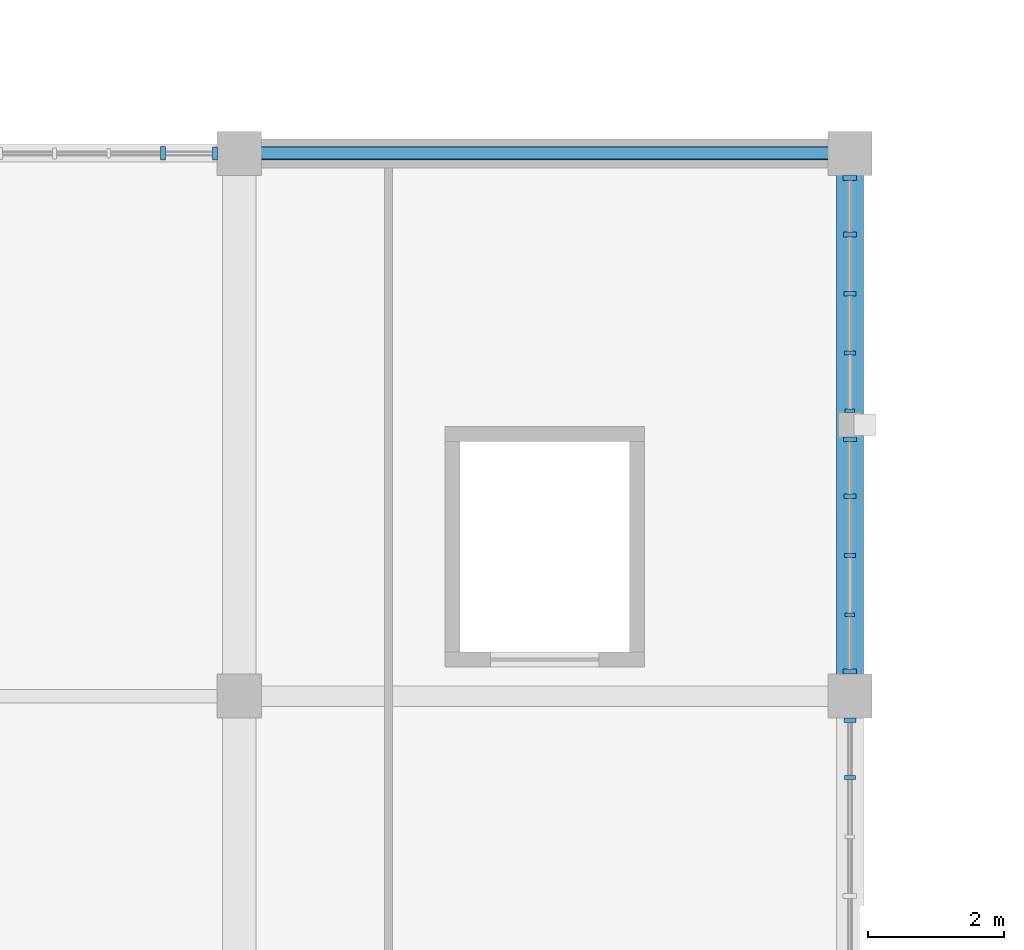
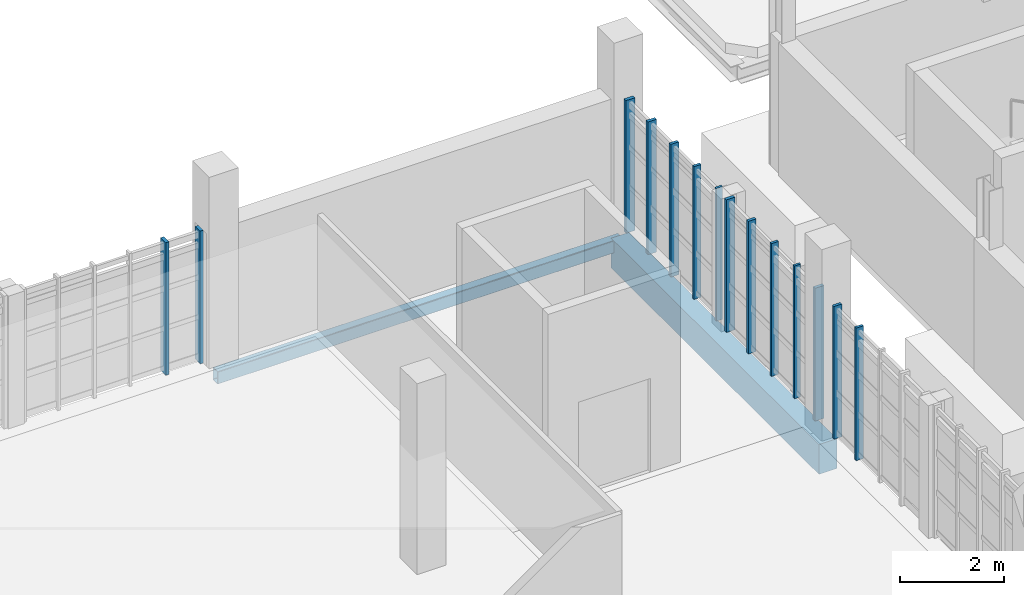
# One storey, part 32 of 125: 14 members, 2 beams, 4 elements without a shape of their own.
"""IFC4 building model written with IfcOpenShell, lengths in metres."""

from ifc_helpers import new_model, si_unit, direction, frame, origin, origin_2d, place, context, subcontext, project, spatial, rectangle, hollow_rectangle, extrude, material, material_profile, profile_set, type_object, element, aggregate, save


model = new_model("IFC4")

# Units and contexts
model_context = context("Model", 3, precision=1e-05, world=origin(), true_north=direction((0.0, 1.0)))
body_context = subcontext(model_context, "Body", "Model", "MODEL_VIEW")
ifc_project = project(units=[si_unit("LENGTHUNIT", "METRE"), si_unit("AREAUNIT", "SQUARE_METRE"), si_unit("VOLUMEUNIT", "CUBIC_METRE"), si_unit("PLANEANGLEUNIT", "RADIAN"), si_unit("MASSUNIT", "GRAM", prefix="KILO")], contexts=[model_context])

# Site, building, storey
site_placement = place(None, origin())
site = spatial("IfcSite", under=ifc_project, at=site_placement, CompositionType="ELEMENT")
building_placement = place(site_placement, origin())
building = spatial("IfcBuilding", under=site, at=building_placement, Name="Serraforn Aerial Cableway Station", CompositionType="ELEMENT")
storey_placement = place(building_placement, frame((0.0, 0.0, 4.5)))
storey = spatial("IfcBuildingStorey", under=building, at=storey_placement, Name="L01", CompositionType="ELEMENT", Elevation=4.5)

# Beams
ifc_material_1 = material(Name="Concrete C35/45", Category="concrete")
ifc_material_profile_1 = material_profile(ifc_material_1, rectangle(XDim=0.39990234375, YDim=0.699951171875, at=origin_2d()), Name="RC 400x700")
ifc_profile_set_1 = profile_set([ifc_material_profile_1], Name="Concrete C35/45")
beam_type_1 = type_object("IfcBeamType", Name="BM-RC-400x700E", PredefinedType="SPANDREL", material=ifc_profile_set_1)
beam_1_placement = place(storey_placement, frame((90.60009765625, 34.0, -0.669921875), z_axis=(0.0, 1.0, 0.0), x_axis=(-1.0, 0.0, 0.0)))
element("IfcBeam", 1, at=beam_1_placement, inside=storey, type_object=beam_type_1, Name="Grid Girder Y CV L01 X8-3", PredefinedType="SPANDREL", context=body_context, shape_type="SweptSolid", body=[
    extrude(rectangle(XDim=0.39990234375, YDim=0.699951171875, at=origin_2d()), origin(), (0.0, 0.0, 1.0), 8.0),
])
ifc_material_2 = material(Name="Steel S355J2", Category="steel")
ifc_material_profile_2 = material_profile(ifc_material_2, hollow_rectangle(XDim=0.199951171875, YDim=0.300048828125, WallThickness=0.012451171875, InnerFilletRadius=0.012451171875, OuterFilletRadius=0.02490234375, at=origin_2d()), Name="RHS 300x200x12.5")
ifc_profile_set_2 = profile_set([ifc_material_profile_2], Name="Steel S355J2")
beam_type_2 = type_object("IfcBeamType", Name="BM-ST-RHS300", PredefinedType="SPANDREL", material=ifc_profile_set_2)
beam_2_placement = place(storey_placement, frame((81.60009765625, 42.0, -0.469970703125), z_axis=(1.0, 0.0, 0.0), x_axis=(0.0, 1.0, 0.0)))
element("IfcBeam", 2, at=beam_2_placement, inside=storey, type_object=beam_type_2, Name="Grid Girder X CV L01 Y4-7", PredefinedType="SPANDREL", context=body_context, shape_type="SweptSolid", body=[
    extrude(hollow_rectangle(XDim=0.199951171875, YDim=0.300048828125, WallThickness=0.012451171875, InnerFilletRadius=0.012451171875, OuterFilletRadius=0.02490234375, at=origin_2d()), origin(), (0.0, 0.0, 1.0), 9.0),
])

# Curtain wall, member
ifc_material_3 = material(Name="Anodised bronze unitised curtain wall")
curtain_wall_type_1 = type_object("IfcCurtainWallType", Name="CW-SYS-5", PredefinedType="USERDEFINED", material=ifc_material_3)
curtain_wall_1_placement = place(storey_placement, origin())
curtain_wall_1 = element("IfcCurtainWall", 3, at=curtain_wall_1_placement, inside=storey, type_object=curtain_wall_type_1, Name="Unitised Curtain Wall CW-CV-L01-E3A", ObjectType="UNITISED CURTAIN WALL", PredefinedType="USERDEFINED")
ifc_material_4 = material(Name="Anodised bronze extruded aluminium", Category="aluminium")
ifc_material_profile_3 = material_profile(ifc_material_4, rectangle(XDim=0.054931640625, YDim=0.139892578125, at=origin_2d()), Name="CW MULLION 55x140")
ifc_profile_set_3 = profile_set([ifc_material_profile_3], Name="Anodised bronze extruded aluminium")
member_type_1 = type_object("IfcMemberType", Name="CW-MUL-1", PredefinedType="MULLION", material=ifc_profile_set_3)
member_1_placement = place(storey_placement, frame((90.60009765625, 35.197265625, 0.0), z_axis=(0.0, 0.0, 1.0), x_axis=(0.0, 1.0, 0.0)))
member_1 = element("IfcMember", 4, at=member_1_placement, type_object=member_type_1, Name="Curtain Wall Mullion CW-CV-L01-E3A-M2", PredefinedType="MULLION", context=body_context, shape_type="SweptSolid", body=[
    extrude(rectangle(XDim=0.054931640625, YDim=0.139892578125, at=origin_2d()), origin(), (0.0, 0.0, 1.0), 3.1201171875),
])

curtain_wall_type_2 = type_object("IfcCurtainWallType", Name="CW-SYS-6", PredefinedType="USERDEFINED", material=ifc_material_3)
curtain_wall_2_placement = place(storey_placement, origin())
curtain_wall_2 = element("IfcCurtainWall", 5, at=curtain_wall_2_placement, inside=storey, type_object=curtain_wall_type_2, Name="Unitised Curtain Wall CW-CV-L01-E3B", ObjectType="UNITISED CURTAIN WALL", PredefinedType="USERDEFINED")
member_2_placement = place(storey_placement, frame((90.60009765625, 38.20751953125, 0.0), z_axis=(0.0, 0.0, 1.0), x_axis=(0.0, 1.0, 0.0)))
member_2 = element("IfcMember", 6, at=member_2_placement, type_object=member_type_1, Name="Curtain Wall Mullion CW-CV-L01-E3B-M1", PredefinedType="MULLION", context=body_context, shape_type="SweptSolid", body=[
    extrude(rectangle(XDim=0.054931640625, YDim=0.139892578125, at=origin_2d()), origin(), (0.0, 0.0, 1.0), 3.1201171875),
])

curtain_wall_type_3 = type_object("IfcCurtainWallType", Name="CW-SYS-4", PredefinedType="USERDEFINED", material=ifc_material_3)
curtain_wall_3_placement = place(storey_placement, origin())
curtain_wall_3 = element("IfcCurtainWall", 7, at=curtain_wall_3_placement, inside=storey, type_object=curtain_wall_type_3, Name="Unitised Curtain Wall CW-CV-L01-E2B", ObjectType="UNITISED CURTAIN WALL", PredefinedType="USERDEFINED")
ifc_material_profile_4 = material_profile(ifc_material_4, rectangle(XDim=0.06005859375, YDim=0.159912109375, at=origin_2d()), Name="CW MULLION 60x160")
ifc_profile_set_4 = profile_set([ifc_material_profile_4], Name="Anodised bronze extruded aluminium")
member_type_2 = type_object("IfcMemberType", Name="CW-MUL-2", PredefinedType="MULLION", material=ifc_profile_set_4)
member_3_placement = place(storey_placement, frame((90.60009765625, 32.802734375, 0.0), z_axis=(0.0, 0.0, 1.0), x_axis=(0.0, 1.0, 0.0)))
member_3 = element("IfcMember", 8, at=member_3_placement, type_object=member_type_2, Name="Curtain Wall Mullion CW-CV-L01-E2B-M4", PredefinedType="MULLION", context=body_context, shape_type="SweptSolid", body=[
    extrude(rectangle(XDim=0.06005859375, YDim=0.159912109375, at=origin_2d()), origin(), (0.0, 0.0, 1.0), 3.1201171875),
])

# Member
member_4_placement = place(storey_placement, frame((90.60009765625, 36.071533203125, 0.0), z_axis=(0.0, 0.0, 1.0), x_axis=(0.0, 1.0, 0.0)))
member_4 = element("IfcMember", 9, at=member_4_placement, type_object=member_type_2, Name="Curtain Wall Mullion CW-CV-L01-E3A-M3", PredefinedType="MULLION", context=body_context, shape_type="SweptSolid", body=[
    extrude(rectangle(XDim=0.06005859375, YDim=0.159912109375, at=origin_2d()), origin(), (0.0, 0.0, 1.0), 3.1201171875),
])

member_5_placement = place(storey_placement, frame((90.60009765625, 39.05419921875, 0.0), z_axis=(0.0, 0.0, 1.0), x_axis=(0.0, 1.0, 0.0)))
member_5 = element("IfcMember", 10, at=member_5_placement, type_object=member_type_2, Name="Curtain Wall Mullion CW-CV-L01-E3B-M2", PredefinedType="MULLION", context=body_context, shape_type="SweptSolid", body=[
    extrude(rectangle(XDim=0.06005859375, YDim=0.159912109375, at=origin_2d()), origin(), (0.0, 0.0, 1.0), 3.1201171875),
])

ifc_material_profile_5 = material_profile(ifc_material_4, rectangle(XDim=0.06494140625, YDim=0.175048828125, at=origin_2d()), Name="CW MULLION 65x175")
ifc_profile_set_5 = profile_set([ifc_material_profile_5], Name="Anodised bronze extruded aluminium")
member_type_3 = type_object("IfcMemberType", Name="CW-MUL-3", PredefinedType="MULLION", material=ifc_profile_set_5)
member_6_placement = place(storey_placement, frame((90.60009765625, 33.64453125, 0.0), z_axis=(0.0, 0.0, 1.0), x_axis=(0.0, 1.0, 0.0)))
member_6 = element("IfcMember", 11, at=member_6_placement, type_object=member_type_3, Name="Curtain Wall Mullion CW-CV-L01-E2B-M5", PredefinedType="MULLION", context=body_context, shape_type="SweptSolid", body=[
    extrude(rectangle(XDim=0.06494140625, YDim=0.175048828125, at=origin_2d()), origin(), (0.0, 0.0, 1.0), 3.1201171875),
])

aggregate(curtain_wall_3, [member_3, member_6])

member_7_placement = place(storey_placement, frame((90.60009765625, 36.94580078125, 0.0), z_axis=(0.0, 0.0, 1.0), x_axis=(0.0, 1.0, 0.0)))
member_7 = element("IfcMember", 12, at=member_7_placement, type_object=member_type_3, Name="Curtain Wall Mullion CW-CV-L01-E3A-M4", PredefinedType="MULLION", context=body_context, shape_type="SweptSolid", body=[
    extrude(rectangle(XDim=0.06494140625, YDim=0.175048828125, at=origin_2d()), origin(), (0.0, 0.0, 1.0), 3.1201171875),
])

member_8_placement = place(storey_placement, frame((90.60009765625, 39.928466796875, 0.0), z_axis=(0.0, 0.0, 1.0), x_axis=(0.0, 1.0, 0.0)))
member_8 = element("IfcMember", 13, at=member_8_placement, type_object=member_type_3, Name="Curtain Wall Mullion CW-CV-L01-E3B-M3", PredefinedType="MULLION", context=body_context, shape_type="SweptSolid", body=[
    extrude(rectangle(XDim=0.06494140625, YDim=0.175048828125, at=origin_2d()), origin(), (0.0, 0.0, 1.0), 3.1201171875),
])

# Curtain wall, member
curtain_wall_type_4 = type_object("IfcCurtainWallType", Name="CW-SYS-27", PredefinedType="USERDEFINED", material=ifc_material_3)
curtain_wall_4_placement = place(storey_placement, origin())
curtain_wall_4 = element("IfcCurtainWall", 14, at=curtain_wall_4_placement, inside=storey, type_object=curtain_wall_type_4, Name="Unitised Curtain Wall CW-CV-L01-N6A", ObjectType="UNITISED CURTAIN WALL", PredefinedType="USERDEFINED")
ifc_material_profile_6 = material_profile(ifc_material_4, rectangle(XDim=0.070068359375, YDim=0.18994140625, at=origin_2d()), Name="CW MULLION 70x190")
ifc_profile_set_6 = profile_set([ifc_material_profile_6], Name="Anodised bronze extruded aluminium")
member_type_4 = type_object("IfcMemberType", Name="CW-MUL-4", PredefinedType="MULLION", material=ifc_profile_set_6)
member_9_placement = place(storey_placement, frame((81.241943359375, 42.0, 0.0), z_axis=(0.0, 0.0, 1.0), x_axis=(-1.0, 0.0, 0.0)))
member_9 = element("IfcMember", 15, at=member_9_placement, type_object=member_type_4, Name="Curtain Wall Mullion CW-CV-L01-N6A-M1", PredefinedType="MULLION", context=body_context, shape_type="SweptSolid", body=[
    extrude(rectangle(XDim=0.070068359375, YDim=0.18994140625, at=origin_2d()), origin(), (0.0, 0.0, 1.0), 3.1201171875),
])

# Member
member_10_placement = place(storey_placement, frame((90.60009765625, 37.784912109375, 0.0), z_axis=(0.0, 0.0, 1.0), x_axis=(0.0, 1.0, 0.0)))
member_10 = element("IfcMember", 16, at=member_10_placement, type_object=member_type_4, Name="Curtain Wall Mullion CW-CV-L01-E3A-M5", PredefinedType="MULLION", context=body_context, shape_type="SweptSolid", body=[
    extrude(rectangle(XDim=0.070068359375, YDim=0.18994140625, at=origin_2d()), origin(), (0.0, 0.0, 1.0), 3.1201171875),
])

member_11_placement = place(storey_placement, frame((90.60009765625, 40.802734375, 0.0), z_axis=(0.0, 0.0, 1.0), x_axis=(0.0, 1.0, 0.0)))
member_11 = element("IfcMember", 17, at=member_11_placement, type_object=member_type_4, Name="Curtain Wall Mullion CW-CV-L01-E3B-M4", PredefinedType="MULLION", context=body_context, shape_type="SweptSolid", body=[
    extrude(rectangle(XDim=0.070068359375, YDim=0.18994140625, at=origin_2d()), origin(), (0.0, 0.0, 1.0), 3.1201171875),
])

ifc_material_profile_7 = material_profile(ifc_material_4, rectangle(XDim=0.074951171875, YDim=0.199951171875, at=origin_2d()), Name="CW MULLION 75x200")
ifc_profile_set_7 = profile_set([ifc_material_profile_7], Name="Anodised bronze extruded aluminium")
member_type_5 = type_object("IfcMemberType", Name="CW-MUL-5", PredefinedType="MULLION", material=ifc_profile_set_7)
member_12_placement = place(storey_placement, frame((80.4775390625, 42.0, 0.0), z_axis=(0.0, 0.0, 1.0), x_axis=(-1.0, 0.0, 0.0)))
member_12 = element("IfcMember", 18, at=member_12_placement, type_object=member_type_5, Name="Curtain Wall Mullion CW-CV-L01-N6A-M2", PredefinedType="MULLION", context=body_context, shape_type="SweptSolid", body=[
    extrude(rectangle(XDim=0.074951171875, YDim=0.199951171875, at=origin_2d()), origin(), (0.0, 0.0, 1.0), 3.1201171875),
])

aggregate(curtain_wall_4, [member_9, member_12])

member_13_placement = place(storey_placement, frame((90.60009765625, 34.360595703125, 0.0), z_axis=(0.0, 0.0, 1.0), x_axis=(0.0, 1.0, 0.0)))
member_13 = element("IfcMember", 19, at=member_13_placement, type_object=member_type_5, Name="Curtain Wall Mullion CW-CV-L01-E3A-M1", PredefinedType="MULLION", context=body_context, shape_type="SweptSolid", body=[
    extrude(rectangle(XDim=0.074951171875, YDim=0.199951171875, at=origin_2d()), origin(), (0.0, 0.0, 1.0), 3.1201171875),
])

aggregate(curtain_wall_1, [member_13, member_1, member_4, member_7, member_10])

member_14_placement = place(storey_placement, frame((90.60009765625, 41.639404296875, 0.0), z_axis=(0.0, 0.0, 1.0), x_axis=(0.0, 1.0, 0.0)))
member_14 = element("IfcMember", 20, at=member_14_placement, type_object=member_type_5, Name="Curtain Wall Mullion CW-CV-L01-E3B-M5", PredefinedType="MULLION", context=body_context, shape_type="SweptSolid", body=[
    extrude(rectangle(XDim=0.074951171875, YDim=0.199951171875, at=origin_2d()), origin(), (0.0, 0.0, 1.0), 3.1201171875),
])

aggregate(curtain_wall_2, [member_2, member_5, member_8, member_11, member_14])

save(model, "model.ifc")
